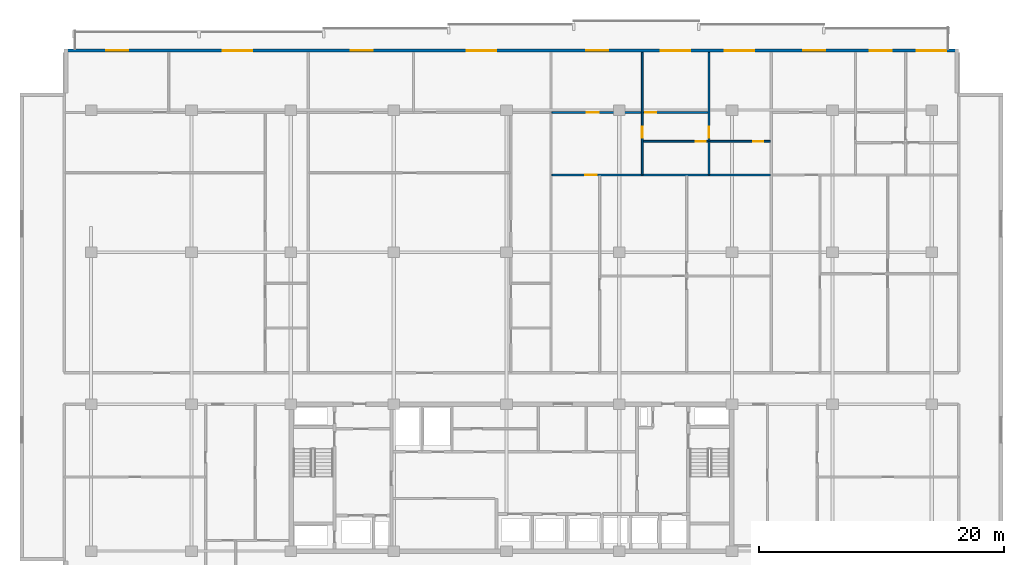
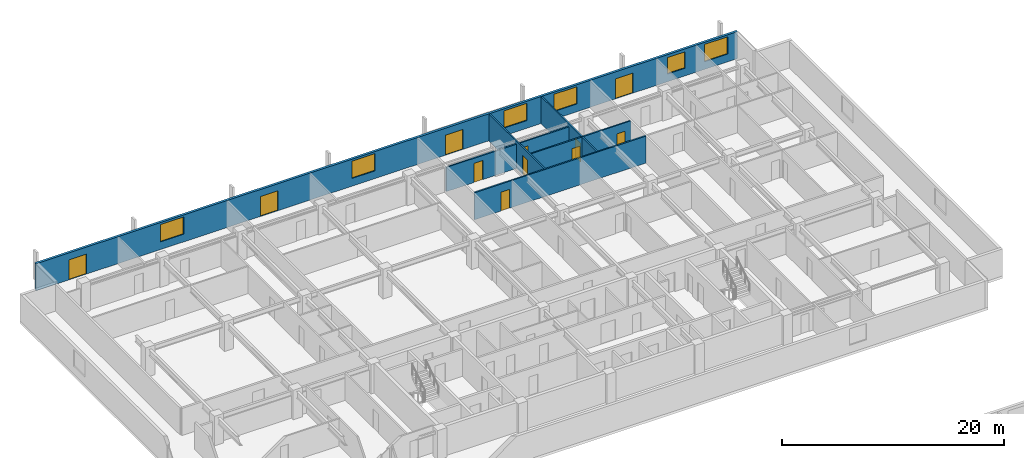
# One storey, part 14 of 21: 11 doors, 7 walls, 6 windows, 17 openings.
"""IFC4 building model written with IfcOpenShell, lengths in metres."""

import ifcopenshell
import ifcopenshell.guid

model = None  # the IFC model being written
_history = None  # IfcOwnerHistory: only IFC2X3 demands one
_inside = {}  # id of a spatial element -> (the spatial element, [elements in it])
_under = {}  # id of a project, library or spatial element -> (it, [spatial elements below it])
_declared = {}  # id of a project -> (the project, [libraries it declares])
_typed = {}  # id of a type object -> (the type object, [elements of that type])
_made_of = {}  # id of a material, layer set ... -> (it, [elements and type objects made of it])


def new_model(schema):
    """Start an empty IFC model of exactly this schema.

    Asked for "IFC4X3", IfcOpenShell would pick the latest addendum, in which some entities
    have other attributes; the version numbers below select the first issue.
    IFC2X3 requires an IfcOwnerHistory on every rooted entity: one is made here for all.
    """
    global model, _history
    if schema == "IFC4X3":
        model = ifcopenshell.file(schema_version=(4, 3, 0, 0))
    else:
        model = ifcopenshell.file(schema=schema)
    _inside.clear()
    _under.clear()
    _declared.clear()
    _typed.clear()
    _made_of.clear()
    _history = None
    if model.schema == "IFC2X3":
        org = make("IfcOrganization", Name="unknown")
        user = make(
            "IfcPersonAndOrganization",
            ThePerson=make("IfcPerson", FamilyName="unknown"),
            TheOrganization=org,
        )
        app = make(
            "IfcApplication",
            ApplicationDeveloper=org,
            Version="unknown",
            ApplicationFullName="unknown",
            ApplicationIdentifier="unknown",
        )
        _history = make(
            "IfcOwnerHistory",
            OwningUser=user,
            OwningApplication=app,
            ChangeAction="ADDED",
            CreationDate=0,
        )
    return model


def make(cls, **values):
    """One entity of the class cls with the attributes given. An attribute that is None is left unset."""
    return model.create_entity(
        cls, **{name: value for name, value in values.items() if value is not None}
    )


def rooted(cls, **values):
    """An entity with a GlobalId (a new one), such as an element, a storey or a relation."""
    return make(cls, GlobalId=ifcopenshell.guid.new(), OwnerHistory=_history, **values)


def si_unit(unit_type, name, prefix=None):
    """IfcSIUnit, for example si_unit("LENGTHUNIT", "METRE", prefix="MILLI")."""
    return make("IfcSIUnit", UnitType=unit_type, Prefix=prefix, Name=name)


def assignment(units):
    """IfcUnitAssignment: the units of a project."""
    return None if units is None else make("IfcUnitAssignment", Units=units)


def point(xyz):
    """IfcCartesianPoint."""
    return None if xyz is None else make("IfcCartesianPoint", Coordinates=xyz)


def direction(xyz):
    """IfcDirection."""
    return None if xyz is None else make("IfcDirection", DirectionRatios=xyz)


def frame(location, z_axis=None, x_axis=None):
    """IfcAxis2Placement3D, a coordinate frame: its origin and axes. An axis left out is left unset."""
    return make(
        "IfcAxis2Placement3D",
        Location=point(location),
        Axis=direction(z_axis),
        RefDirection=direction(x_axis),
    )


def frame_2d(location, x_axis=None):
    """IfcAxis2Placement2D, a coordinate frame in the plane: its origin and x axis."""
    return make(
        "IfcAxis2Placement2D", Location=point(location), RefDirection=direction(x_axis)
    )


def origin():
    """The frame at (0, 0, 0) with its axes left unset."""
    return frame((0.0, 0.0, 0.0))


def place(relative_to, where):
    """IfcLocalPlacement: puts the frame where relative to a parent placement (None: the world)."""
    return make(
        "IfcLocalPlacement", PlacementRelTo=relative_to, RelativePlacement=where
    )


def context(
    kind, dimensions, precision=None, world=None, true_north=None, identifier=None
):
    """IfcGeometricRepresentationContext, for example the 3D "Model" context."""
    return make(
        "IfcGeometricRepresentationContext",
        ContextIdentifier=identifier,
        ContextType=kind,
        CoordinateSpaceDimension=dimensions,
        Precision=precision,
        WorldCoordinateSystem=world,
        TrueNorth=true_north,
    )


def subcontext(parent, identifier, kind, view, scale=None):
    """IfcGeometricRepresentationSubContext, for example "Body" below "Model"."""
    return make(
        "IfcGeometricRepresentationSubContext",
        ContextIdentifier=identifier,
        ContextType=kind,
        ParentContext=parent,
        TargetScale=scale,
        TargetView=view,
    )


def project(units=None, contexts=None):
    """IfcProject with its units and contexts."""
    return rooted(
        "IfcProject",
        Name="project",
        RepresentationContexts=contexts,
        UnitsInContext=assignment(units),
    )


def spatial(cls, under=None, at=None, **own):
    """A site, building, storey or space (cls), placed at a placement, below another one or the project."""
    s = rooted(cls, ObjectPlacement=at, **own)
    if under is not None:
        _under.setdefault(under.id(), (under, []))[1].append(s)
    return s


def profile(cls, at=None, kind="AREA", **sizes):
    """A parametric profile (cls). Its sizes go by their IFC names, for example OverallWidth=200.0."""
    return make(cls, ProfileType=kind, Position=at, **sizes)


def rectangle(**sizes):
    """IfcRectangleProfileDef."""
    return profile("IfcRectangleProfileDef", **sizes)


def extrude(swept, where, along, depth):
    """IfcExtrudedAreaSolid: the profile swept, set in the frame where, extruded along a direction by depth."""
    return make(
        "IfcExtrudedAreaSolid",
        SweptArea=swept,
        Position=where,
        ExtrudedDirection=direction(along),
        Depth=depth,
    )


def shape(context_of_items, identifier, shape_type, items):
    """IfcShapeRepresentation: the items that make up one representation, for example the "Body"."""
    return make(
        "IfcShapeRepresentation",
        ContextOfItems=context_of_items,
        RepresentationIdentifier=identifier,
        RepresentationType=shape_type,
        Items=items,
    )


def material(Name=None, Category=None):
    """IfcMaterial."""
    return make("IfcMaterial", Name=Name, Category=Category)


def layer(
    of_material, thickness, ventilated=None, Name=None, Category=None, Priority=None
):
    """IfcMaterialLayer: one layer of a wall or slab, of a material (None: an air gap)."""
    return make(
        "IfcMaterialLayer",
        Material=of_material,
        LayerThickness=thickness,
        IsVentilated=ventilated,
        Name=Name,
        Category=Category,
        Priority=Priority,
    )


def layer_set(layers, Name=None):
    """IfcMaterialLayerSet."""
    return make("IfcMaterialLayerSet", MaterialLayers=layers, LayerSetName=Name)


def made_of(thing, what):
    """Note that an element or type object is made of a material, layer set ...; save() writes the relation."""
    if what is not None:
        _made_of.setdefault(what.id(), (what, []))[1].append(thing)
    return thing


def type_object(cls, material=None, **own):
    """A type object (cls), such as IfcWallType, which elements share."""
    return made_of(rooted(cls, **own), material)


def element(
    cls,
    number,
    at=None,
    inside=None,
    cuts=None,
    type_object=None,
    material=None,
    context=None,
    identifier="Body",
    shape_type=None,
    held_by="IfcProductDefinitionShape",
    body=None,
    shapes=None,
    **own,
):
    """One element of the class cls, such as IfcWall. Its Tag is "e" and its number.

    at: its placement. inside: the storey or other place that contains it. cuts: it is an
    opening in that element (IfcRelVoidsElement). A single representation is given by context,
    identifier, shape_type and body (its items); several are given by shapes. held_by: the class
    of the entity that holds the representations. save() writes the other relations.
    """
    e = rooted(cls, Tag="e%d" % number, ObjectPlacement=at, **own)
    if body is not None:
        shapes = [shape(context, identifier, shape_type, body)]
    if shapes is not None:
        e.Representation = make(held_by, Representations=shapes)
    if inside is not None:
        _inside.setdefault(inside.id(), (inside, []))[1].append(e)
    if cuts is not None:
        rooted(
            "IfcRelVoidsElement", RelatingBuildingElement=cuts, RelatedOpeningElement=e
        )
    if type_object is not None:
        _typed.setdefault(type_object.id(), (type_object, []))[1].append(e)
    return made_of(e, material)


def fill(opening, filler):
    """IfcRelFillsElement: the door or window that sits in an opening."""
    return rooted(
        "IfcRelFillsElement",
        RelatingOpeningElement=opening,
        RelatedBuildingElement=filler,
    )


def aggregate(whole, parts):
    """IfcRelAggregates: a whole, such as a stair, and the parts it consists of."""
    return rooted("IfcRelAggregates", RelatingObject=whole, RelatedObjects=parts)


def save(model, path):
    """Write the relations noted so far, then the file.

    IfcRelAggregates (storeys below a building ...), IfcRelContainedInSpatialStructure (elements
    in a storey), IfcRelDefinesByType, IfcRelAssociatesMaterial and IfcRelDeclares: one each for
    every whole, place, type object, material and project.
    """
    for whole, parts in _under.values():
        aggregate(whole, parts)
    for where, things in _inside.values():
        rooted(
            "IfcRelContainedInSpatialStructure",
            RelatedElements=things,
            RelatingStructure=where,
        )
    for kind, things in _typed.values():
        rooted("IfcRelDefinesByType", RelatedObjects=things, RelatingType=kind)
    for what, things in _made_of.values():
        rooted("IfcRelAssociatesMaterial", RelatedObjects=things, RelatingMaterial=what)
    for by, libraries in _declared.values():
        rooted("IfcRelDeclares", RelatingContext=by, RelatedDefinitions=libraries)
    model.write(path)


model = new_model("IFC4")

# Units and contexts
model_context = context("Model", 3, precision=1e-05, world=origin(), true_north=direction((0.0, 1.0)))
body_context = subcontext(model_context, "Body", "Model", "MODEL_VIEW")
ifc_project = project(units=[si_unit("LENGTHUNIT", "METRE"), si_unit("AREAUNIT", "SQUARE_METRE"), si_unit("VOLUMEUNIT", "CUBIC_METRE"), si_unit("PLANEANGLEUNIT", "RADIAN"), si_unit("MASSUNIT", "GRAM", prefix="KILO")], contexts=[model_context])

# Site, building, storey
site_placement = place(None, origin())
site = spatial("IfcSite", under=ifc_project, at=site_placement, CompositionType="ELEMENT")
building_placement = place(site_placement, origin())
building = spatial("IfcBuilding", under=site, at=building_placement, Name="Korimba Cascade Residences", CompositionType="ELEMENT")
storey_placement = place(building_placement, frame((0.0, 0.0, 123.050048828125)))
storey = spatial("IfcBuildingStorey", under=building, at=storey_placement, Name="L35", CompositionType="ELEMENT", Elevation=123.050048828125)

# Wall, openings, doors, windows
ifc_material_1 = material(Name="Precast concrete C40/50", Category="concrete")
ifc_layer_1 = layer(ifc_material_1, 0.25)
ifc_layer_set_1 = layer_set([ifc_layer_1], Name="Precast concrete C40/50")
wall_type_1 = type_object("IfcWallType", Name="EW-LOG-250", PredefinedType="STANDARD", material=ifc_layer_set_1)
wall_1_placement = place(storey_placement, frame((130.60009765625, 96.050048828125, 0.0), z_axis=(0.0, 0.0, 1.0), x_axis=(-1.0, 0.0, 0.0)))
wall_1 = element("IfcWall", 1, at=wall_1_placement, inside=storey, type_object=wall_type_1, Name="L35 T1 Perimeter Stone Wall E06", PredefinedType="STANDARD", context=body_context, shape_type="SweptSolid", body=[
    extrude(rectangle(XDim=73.0, YDim=0.25, at=frame_2d((36.5, 0.0))), origin(), (0.0, 0.0, 1.0), 2.969970703125),
])
opening_1_placement = place(wall_1_placement, frame((67.7724609375, 0.0, 0.0)))
opening_1 = element("IfcOpeningElement", 2, at=opening_1_placement, cuts=wall_1, Name="Opening D-LG1", PredefinedType="OPENING", context=body_context, shape_type="SweptSolid", body=[
    extrude(rectangle(XDim=1.800048828125, YDim=2.199951171875, at=frame_2d((0.89990234375, 1.10009765625))), frame((0.0, 0.135009765625, 0.0), z_axis=(0.0, -1.0, 0.0), x_axis=(1.0, 0.0, 0.0)), (0.0, 0.0, 1.0), 0.27001953125),
])
opening_2_placement = place(wall_1_placement, frame((57.63720703125, 0.0, 0.85009765625)))
opening_2 = element("IfcOpeningElement", 3, at=opening_2_placement, cuts=wall_1, Name="Opening W-01", PredefinedType="OPENING", context=body_context, shape_type="SweptSolid", body=[
    extrude(rectangle(XDim=2.39990234375, YDim=1.89990234375, at=frame_2d((1.199951171875, 0.949951171875))), frame((0.0, 0.135009765625, 0.0), z_axis=(0.0, -1.0, 0.0), x_axis=(1.0, 0.0, 0.0)), (0.0, 0.0, 1.0), 0.27001953125),
])
opening_3_placement = place(wall_1_placement, frame((47.826904296875, 0.0, 0.0)))
opening_3 = element("IfcOpeningElement", 4, at=opening_3_placement, cuts=wall_1, Name="Opening D-LG1", PredefinedType="OPENING", context=body_context, shape_type="SweptSolid", body=[
    extrude(rectangle(XDim=1.800048828125, YDim=2.199951171875, at=frame_2d((0.89990234375, 1.10009765625))), frame((0.0, 0.135009765625, 0.0), z_axis=(0.0, -1.0, 0.0), x_axis=(1.0, 0.0, 0.0)), (0.0, 0.0, 1.0), 0.27001953125),
])
opening_4_placement = place(wall_1_placement, frame((37.736083984375, 0.0, 0.85009765625)))
opening_4 = element("IfcOpeningElement", 5, at=opening_4_placement, cuts=wall_1, Name="Opening W-01", PredefinedType="OPENING", context=body_context, shape_type="SweptSolid", body=[
    extrude(rectangle(XDim=2.39990234375, YDim=1.89990234375, at=frame_2d((1.199951171875, 0.949951171875))), frame((0.0, 0.135009765625, 0.0), z_axis=(0.0, -1.0, 0.0), x_axis=(1.0, 0.0, 0.0)), (0.0, 0.0, 1.0), 0.27001953125),
])
opening_5_placement = place(wall_1_placement, frame((21.89990234375, 0.0, 0.85009765625)))
opening_5 = element("IfcOpeningElement", 6, at=opening_5_placement, cuts=wall_1, Name="Opening W-01", PredefinedType="OPENING", context=body_context, shape_type="SweptSolid", body=[
    extrude(rectangle(XDim=2.39990234375, YDim=1.89990234375, at=frame_2d((1.199951171875, 0.949951171875))), frame((0.0, 0.135009765625, 0.0), z_axis=(0.0, -1.0, 0.0), x_axis=(1.0, 0.0, 0.0)), (0.0, 0.0, 1.0), 0.27001953125),
])
opening_6_placement = place(wall_1_placement, frame((28.584228515625, 0.0, 0.0)))
opening_6 = element("IfcOpeningElement", 7, at=opening_6_placement, cuts=wall_1, Name="Opening D-LG1", PredefinedType="OPENING", context=body_context, shape_type="SweptSolid", body=[
    extrude(rectangle(XDim=1.800048828125, YDim=2.199951171875, at=frame_2d((0.89990234375, 1.10009765625))), frame((0.0, 0.135009765625, 0.0), z_axis=(0.0, -1.0, 0.0), x_axis=(1.0, 0.0, 0.0)), (0.0, 0.0, 1.0), 0.27001953125),
])
opening_7_placement = place(wall_1_placement, frame((16.689453125, 0.0, 0.85009765625)))
opening_7 = element("IfcOpeningElement", 8, at=opening_7_placement, cuts=wall_1, Name="Opening W-01", PredefinedType="OPENING", context=body_context, shape_type="SweptSolid", body=[
    extrude(rectangle(XDim=2.39990234375, YDim=1.89990234375, at=frame_2d((1.199951171875, 0.949951171875))), frame((0.0, 0.135009765625, 0.0), z_axis=(0.0, -1.0, 0.0), x_axis=(1.0, 0.0, 0.0)), (0.0, 0.0, 1.0), 0.27001953125),
])
opening_8_placement = place(wall_1_placement, frame((5.4755859375, 0.0, 0.85009765625)))
opening_8 = element("IfcOpeningElement", 9, at=opening_8_placement, cuts=wall_1, Name="Opening W-02", PredefinedType="OPENING", context=body_context, shape_type="SweptSolid", body=[
    extrude(rectangle(XDim=1.800048828125, YDim=1.800048828125, at=frame_2d((0.89990234375, 0.89990234375))), frame((0.0, 0.135009765625, 0.0), z_axis=(0.0, -1.0, 0.0), x_axis=(1.0, 0.0, 0.0)), (0.0, 0.0, 1.0), 0.27001953125),
])
opening_9_placement = place(wall_1_placement, frame((10.889404296875, 0.0, 0.0)))
opening_9 = element("IfcOpeningElement", 10, at=opening_9_placement, cuts=wall_1, Name="Opening D-LG1", PredefinedType="OPENING", context=body_context, shape_type="SweptSolid", body=[
    extrude(rectangle(XDim=1.800048828125, YDim=2.199951171875, at=frame_2d((0.89990234375, 1.10009765625))), frame((0.0, 0.135009765625, 0.0), z_axis=(0.0, -1.0, 0.0), x_axis=(1.0, 0.0, 0.0)), (0.0, 0.0, 1.0), 0.27001953125),
])
opening_10_placement = place(wall_1_placement, frame((1.025390625, 0.0, 0.85009765625)))
opening_10 = element("IfcOpeningElement", 11, at=opening_10_placement, cuts=wall_1, Name="Opening W-01", PredefinedType="OPENING", context=body_context, shape_type="SweptSolid", body=[
    extrude(rectangle(XDim=2.39990234375, YDim=1.89990234375, at=frame_2d((1.199951171875, 0.949951171875))), frame((0.0, 0.135009765625, 0.0), z_axis=(0.0, -1.0, 0.0), x_axis=(1.0, 0.0, 0.0)), (0.0, 0.0, 1.0), 0.27001953125),
])
ifc_material_2 = material(Name="Glazed Aluminium Loggia Sliding Door", Category="aluminium")
door_type_1 = type_object("IfcDoorType", Name="DR-EXT-LOG", OperationType="NOTDEFINED", PredefinedType="DOOR", material=ifc_material_2)
door_1_placement = place(opening_1_placement, origin())
door_1 = element("IfcDoor", 12, at=door_1_placement, inside=storey, type_object=door_type_1, Name="L35 T1 Loggia Sliding Door 3", OperationType="SLIDING_TO_LEFT", OverallHeight=2.199951171875, OverallWidth=1.800048828125, PredefinedType="DOOR", context=body_context, shape_type="SweptSolid", body=[
    extrude(rectangle(XDim=1.800048828125, YDim=2.199951171875, at=frame_2d((0.89990234375, 1.10009765625))), frame((0.0, 0.02490234375, 0.0), z_axis=(0.0, -1.0, 0.0), x_axis=(1.0, 0.0, 0.0)), (0.0, 0.0, 1.0), 0.050048828125),
])
fill(opening_1, door_1)
door_2_placement = place(opening_3_placement, origin())
door_2 = element("IfcDoor", 13, at=door_2_placement, inside=storey, type_object=door_type_1, Name="L35 T1 Loggia Sliding Door 5", OperationType="SLIDING_TO_LEFT", OverallHeight=2.199951171875, OverallWidth=1.800048828125, PredefinedType="DOOR", context=body_context, shape_type="SweptSolid", body=[
    extrude(rectangle(XDim=1.800048828125, YDim=2.199951171875, at=frame_2d((0.89990234375, 1.10009765625))), frame((0.0, 0.02490234375, 0.0), z_axis=(0.0, -1.0, 0.0), x_axis=(1.0, 0.0, 0.0)), (0.0, 0.0, 1.0), 0.050048828125),
])
fill(opening_3, door_2)
door_3_placement = place(opening_6_placement, origin())
door_3 = element("IfcDoor", 14, at=door_3_placement, inside=storey, type_object=door_type_1, Name="L35 T1 Loggia Sliding Door 8", OperationType="SLIDING_TO_LEFT", OverallHeight=2.199951171875, OverallWidth=1.800048828125, PredefinedType="DOOR", context=body_context, shape_type="SweptSolid", body=[
    extrude(rectangle(XDim=1.800048828125, YDim=2.199951171875, at=frame_2d((0.89990234375, 1.10009765625))), frame((0.0, 0.02490234375, 0.0), z_axis=(0.0, -1.0, 0.0), x_axis=(1.0, 0.0, 0.0)), (0.0, 0.0, 1.0), 0.050048828125),
])
fill(opening_6, door_3)
door_4_placement = place(opening_9_placement, origin())
door_4 = element("IfcDoor", 15, at=door_4_placement, inside=storey, type_object=door_type_1, Name="L35 T1 Loggia Sliding Door 11", OperationType="SLIDING_TO_LEFT", OverallHeight=2.199951171875, OverallWidth=1.800048828125, PredefinedType="DOOR", context=body_context, shape_type="SweptSolid", body=[
    extrude(rectangle(XDim=1.800048828125, YDim=2.199951171875, at=frame_2d((0.89990234375, 1.10009765625))), frame((0.0, 0.02490234375, 0.0), z_axis=(0.0, -1.0, 0.0), x_axis=(1.0, 0.0, 0.0)), (0.0, 0.0, 1.0), 0.050048828125),
])
fill(opening_9, door_4)
ifc_material_3 = material(Name="Double-Glazed Aluminium Window", Category="aluminium")
window_type_1 = type_object("IfcWindowType", Name="WIN-BED-1800", PartitioningType="SINGLE_PANEL", PredefinedType="WINDOW", material=ifc_material_3)
window_1_placement = place(opening_8_placement, origin())
window_1 = element("IfcWindow", 16, at=window_1_placement, inside=storey, type_object=window_type_1, Name="L35 T1 North Facade Window 10", OverallHeight=1.800048828125, OverallWidth=1.800048828125, PartitioningType="SINGLE_PANEL", PredefinedType="WINDOW", context=body_context, shape_type="SweptSolid", body=[
    extrude(rectangle(XDim=1.800048828125, YDim=1.800048828125, at=frame_2d((0.89990234375, 0.89990234375))), frame((0.0, 0.030029296875, 0.0), z_axis=(0.0, -1.0, 0.0), x_axis=(1.0, 0.0, 0.0)), (0.0, 0.0, 1.0), 0.06005859375),
])
fill(opening_8, window_1)
window_type_2 = type_object("IfcWindowType", Name="WIN-RES-2400", PartitioningType="DOUBLE_PANEL_VERTICAL", PredefinedType="WINDOW", material=ifc_material_3)
window_2_placement = place(opening_2_placement, origin())
window_2 = element("IfcWindow", 17, at=window_2_placement, inside=storey, type_object=window_type_2, Name="L35 T1 North Facade Window 4", OverallHeight=1.89990234375, OverallWidth=2.39990234375, PartitioningType="DOUBLE_PANEL_VERTICAL", PredefinedType="WINDOW", context=body_context, shape_type="SweptSolid", body=[
    extrude(rectangle(XDim=2.39990234375, YDim=1.89990234375, at=frame_2d((1.199951171875, 0.949951171875))), frame((0.0, 0.030029296875, 0.0), z_axis=(0.0, -1.0, 0.0), x_axis=(1.0, 0.0, 0.0)), (0.0, 0.0, 1.0), 0.06005859375),
])
fill(opening_2, window_2)
window_3_placement = place(opening_4_placement, origin())
window_3 = element("IfcWindow", 18, at=window_3_placement, inside=storey, type_object=window_type_2, Name="L35 T1 North Facade Window 6", OverallHeight=1.89990234375, OverallWidth=2.39990234375, PartitioningType="DOUBLE_PANEL_VERTICAL", PredefinedType="WINDOW", context=body_context, shape_type="SweptSolid", body=[
    extrude(rectangle(XDim=2.39990234375, YDim=1.89990234375, at=frame_2d((1.199951171875, 0.949951171875))), frame((0.0, 0.030029296875, 0.0), z_axis=(0.0, -1.0, 0.0), x_axis=(1.0, 0.0, 0.0)), (0.0, 0.0, 1.0), 0.06005859375),
])
fill(opening_4, window_3)
window_4_placement = place(opening_5_placement, origin())
window_4 = element("IfcWindow", 19, at=window_4_placement, inside=storey, type_object=window_type_2, Name="L35 T1 North Facade Window 7", OverallHeight=1.89990234375, OverallWidth=2.39990234375, PartitioningType="DOUBLE_PANEL_VERTICAL", PredefinedType="WINDOW", context=body_context, shape_type="SweptSolid", body=[
    extrude(rectangle(XDim=2.39990234375, YDim=1.89990234375, at=frame_2d((1.199951171875, 0.949951171875))), frame((0.0, 0.030029296875, 0.0), z_axis=(0.0, -1.0, 0.0), x_axis=(1.0, 0.0, 0.0)), (0.0, 0.0, 1.0), 0.06005859375),
])
fill(opening_5, window_4)
window_5_placement = place(opening_7_placement, origin())
window_5 = element("IfcWindow", 20, at=window_5_placement, inside=storey, type_object=window_type_2, Name="L35 T1 North Facade Window 9", OverallHeight=1.89990234375, OverallWidth=2.39990234375, PartitioningType="DOUBLE_PANEL_VERTICAL", PredefinedType="WINDOW", context=body_context, shape_type="SweptSolid", body=[
    extrude(rectangle(XDim=2.39990234375, YDim=1.89990234375, at=frame_2d((1.199951171875, 0.949951171875))), frame((0.0, 0.030029296875, 0.0), z_axis=(0.0, -1.0, 0.0), x_axis=(1.0, 0.0, 0.0)), (0.0, 0.0, 1.0), 0.06005859375),
])
fill(opening_7, window_5)
window_6_placement = place(opening_10_placement, origin())
window_6 = element("IfcWindow", 21, at=window_6_placement, inside=storey, type_object=window_type_2, Name="L35 T1 North Facade Window 12", OverallHeight=1.89990234375, OverallWidth=2.39990234375, PartitioningType="DOUBLE_PANEL_VERTICAL", PredefinedType="WINDOW", context=body_context, shape_type="SweptSolid", body=[
    extrude(rectangle(XDim=2.39990234375, YDim=1.89990234375, at=frame_2d((1.199951171875, 0.949951171875))), frame((0.0, 0.030029296875, 0.0), z_axis=(0.0, -1.0, 0.0), x_axis=(1.0, 0.0, 0.0)), (0.0, 0.0, 1.0), 0.06005859375),
])
fill(opening_10, window_6)

# Wall, opening, door
ifc_material_4 = material(Name="Insulated Acoustic Stud Partition", Category="gypsum")
ifc_layer_2 = layer(ifc_material_4, 0.14990234375)
ifc_layer_set_2 = layer_set([ifc_layer_2], Name="Insulated Acoustic Stud Partition")
wall_type_2 = type_object("IfcWallType", Name="WAL-PART-150", PredefinedType="PARTITIONING", material=ifc_layer_set_2)
wall_2_placement = place(storey_placement, frame((104.780029296875, 85.93994140625, 0.0), z_axis=(0.0, 0.0, 1.0), x_axis=(0.0, 1.0, 0.0)))
wall_2 = element("IfcWall", 22, at=wall_2_placement, inside=storey, type_object=wall_type_2, Name="L35 Partition Wall WAL-L35-T1-U03-V1", PredefinedType="PARTITIONING", context=body_context, shape_type="SweptSolid", body=[
    extrude(rectangle(XDim=9.9599609375, YDim=0.14990234375, at=frame_2d((4.97998046875, 0.0))), origin(), (0.0, 0.0, 1.0), 2.969970703125),
])
opening_11_placement = place(wall_2_placement, frame((2.989990234375, 0.0, 0.0)))
opening_11 = element("IfcOpeningElement", 23, at=opening_11_placement, cuts=wall_2, Name="Opening D-IN1", PredefinedType="OPENING", context=body_context, shape_type="SweptSolid", body=[
    extrude(rectangle(XDim=0.919921875, YDim=2.080078125, at=frame_2d((0.4599609375, 1.0400390625))), frame((0.0, 0.0849609375, 0.0), z_axis=(0.0, -1.0, 0.0), x_axis=(1.0, 0.0, 0.0)), (0.0, 0.0, 1.0), 0.169921875),
])
ifc_material_5 = material(Name="Acoustic Timber Living Door", Category="wood")
door_type_2 = type_object("IfcDoorType", Name="DR-INT-920", OperationType="NOTDEFINED", PredefinedType="DOOR", material=ifc_material_5)
door_5_placement = place(opening_11_placement, origin())
door_5 = element("IfcDoor", 24, at=door_5_placement, inside=storey, type_object=door_type_2, Name="L35-T1-U03 Hallway Door", OperationType="SINGLE_SWING_LEFT", OverallHeight=2.080078125, OverallWidth=0.919921875, PredefinedType="DOOR", context=body_context, shape_type="SweptSolid", body=[
    extrude(rectangle(XDim=0.919921875, YDim=2.080078125, at=frame_2d((0.4599609375, 1.0400390625))), frame((0.0, 0.02490234375, 0.0), z_axis=(0.0, -1.0, 0.0), x_axis=(1.0, 0.0, 0.0)), (0.0, 0.0, 1.0), 0.050048828125),
])
fill(opening_11, door_5)

# Wall
wall_3_placement = place(storey_placement, frame((110.219970703125, 85.93994140625, 0.0), z_axis=(0.0, 0.0, 1.0), x_axis=(0.0, 1.0, 0.0)))
element("IfcWall", 25, at=wall_3_placement, inside=storey, type_object=wall_type_2, Name="L35 Partition Wall WAL-L35-T1-U03-VBATH", PredefinedType="PARTITIONING", context=body_context, shape_type="SweptSolid", body=[
    extrude(rectangle(XDim=2.68994140625, YDim=0.14990234375, at=frame_2d((1.344970703125, 0.0))), origin(), (0.0, 0.0, 1.0), 2.969970703125),
])

# Wall, opening, door
wall_4_placement = place(storey_placement, frame((110.219970703125, 88.669921875, 0.0), z_axis=(0.0, 0.0, 1.0), x_axis=(0.0, 1.0, 0.0)))
wall_4 = element("IfcWall", 26, at=wall_4_placement, inside=storey, type_object=wall_type_2, Name="L35 Partition Wall WAL-L35-T1-U03-V2FULL", PredefinedType="PARTITIONING", context=body_context, shape_type="SweptSolid", body=[
    extrude(rectangle(XDim=7.22998046875, YDim=0.14990234375, at=frame_2d((3.614990234375, 0.0))), origin(), (0.0, 0.0, 1.0), 2.969970703125),
])
opening_12_placement = place(wall_4_placement, frame((0.260009765625, 0.0, 0.0)))
opening_12 = element("IfcOpeningElement", 27, at=opening_12_placement, cuts=wall_4, Name="Opening D-IN1", PredefinedType="OPENING", context=body_context, shape_type="SweptSolid", body=[
    extrude(rectangle(XDim=0.919921875, YDim=2.080078125, at=frame_2d((0.4599609375, 1.0400390625))), frame((0.0, 0.0849609375, 0.0), z_axis=(0.0, -1.0, 0.0), x_axis=(1.0, 0.0, 0.0)), (0.0, 0.0, 1.0), 0.169921875),
])
door_6_placement = place(opening_12_placement, origin())
door_6 = element("IfcDoor", 28, at=door_6_placement, inside=storey, type_object=door_type_2, Name="L35-T1-U03 Master Bedroom Door", OperationType="SINGLE_SWING_RIGHT", OverallHeight=2.080078125, OverallWidth=0.919921875, PredefinedType="DOOR", context=body_context, shape_type="SweptSolid", body=[
    extrude(rectangle(XDim=0.919921875, YDim=2.080078125, at=frame_2d((0.4599609375, 1.0400390625))), frame((0.0, 0.02490234375, 0.0), z_axis=(0.0, -1.0, 0.0), x_axis=(1.0, 0.0, 0.0)), (0.0, 0.0, 1.0), 0.050048828125),
])
fill(opening_12, door_6)

# Wall, openings, doors
wall_5_placement = place(storey_placement, frame((104.820068359375, 88.64990234375, 0.0), z_axis=(0.0, 0.0, 1.0), x_axis=(1.0, 0.0, 0.0)))
wall_5 = element("IfcWall", 29, at=wall_5_placement, inside=storey, type_object=wall_type_2, Name="L35 Partition Wall WAL-L35-T1-U03-HWALL", PredefinedType="PARTITIONING", context=body_context, shape_type="SweptSolid", body=[
    extrude(rectangle(XDim=10.421142578125, YDim=0.14990234375, at=frame_2d((5.21044921875, 0.0))), origin(), (0.0, 0.0, 1.0), 2.969970703125),
])
opening_13_placement = place(wall_5_placement, frame((4.31005859375, 0.0, 0.0)))
opening_13 = element("IfcOpeningElement", 30, at=opening_13_placement, cuts=wall_5, Name="Opening D-BT1", PredefinedType="OPENING", context=body_context, shape_type="SweptSolid", body=[
    extrude(rectangle(XDim=0.840087890625, YDim=2.0400390625, at=frame_2d((0.419921875, 1.02001953125))), frame((0.0, 0.0849609375, 0.0), z_axis=(0.0, -1.0, 0.0), x_axis=(1.0, 0.0, 0.0)), (0.0, 0.0, 1.0), 0.169921875),
])
opening_14_placement = place(wall_5_placement, frame((8.999755859375, 0.0, 0.0)))
opening_14 = element("IfcOpeningElement", 31, at=opening_14_placement, cuts=wall_5, Name="Opening D-BT1", PredefinedType="OPENING", context=body_context, shape_type="SweptSolid", body=[
    extrude(rectangle(XDim=0.840087890625, YDim=2.0400390625, at=frame_2d((0.419921875, 1.02001953125))), frame((0.0, 0.0849609375, 0.0), z_axis=(0.0, -1.0, 0.0), x_axis=(1.0, 0.0, 0.0)), (0.0, 0.0, 1.0), 0.169921875),
])
ifc_material_6 = material(Name="Moisture-Resistant Bathroom Timber Door", Category="wood")
door_type_3 = type_object("IfcDoorType", Name="DR-INT-850", OperationType="NOTDEFINED", PredefinedType="DOOR", material=ifc_material_6)
door_7_placement = place(opening_13_placement, origin())
door_7 = element("IfcDoor", 32, at=door_7_placement, inside=storey, type_object=door_type_3, Name="L35-T1-U03 Family Bathroom Door", OperationType="SINGLE_SWING_LEFT", OverallHeight=2.0400390625, OverallWidth=0.840087890625, PredefinedType="DOOR", context=body_context, shape_type="SweptSolid", body=[
    extrude(rectangle(XDim=0.840087890625, YDim=2.0400390625, at=frame_2d((0.419921875, 1.02001953125))), frame((0.0, 0.02490234375, 0.0), z_axis=(0.0, -1.0, 0.0), x_axis=(1.0, 0.0, 0.0)), (0.0, 0.0, 1.0), 0.050048828125),
])
fill(opening_13, door_7)
door_8_placement = place(opening_14_placement, origin())
door_8 = element("IfcDoor", 33, at=door_8_placement, inside=storey, type_object=door_type_3, Name="L35-T1-U03 En-Suite Door", OperationType="SINGLE_SWING_RIGHT", OverallHeight=2.0400390625, OverallWidth=0.840087890625, PredefinedType="DOOR", context=body_context, shape_type="SweptSolid", body=[
    extrude(rectangle(XDim=0.840087890625, YDim=2.0400390625, at=frame_2d((0.419921875, 1.02001953125))), frame((0.0, 0.02490234375, 0.0), z_axis=(0.0, -1.0, 0.0), x_axis=(1.0, 0.0, 0.0)), (0.0, 0.0, 1.0), 0.050048828125),
])
fill(opening_14, door_8)

# Wall, opening, door
wall_6_placement = place(storey_placement, frame((97.41162109375, 85.89990234375, 0.0), z_axis=(0.0, 0.0, 1.0), x_axis=(1.0, 0.0, 0.0)))
wall_6 = element("IfcWall", 34, at=wall_6_placement, inside=storey, type_object=wall_type_2, Name="L35 Partition Wall WAL-L35-T1-U03-MW", PredefinedType="PARTITIONING", context=body_context, shape_type="SweptSolid", body=[
    extrude(rectangle(XDim=17.82958984375, YDim=0.14990234375, at=frame_2d((8.914794921875, 0.0))), origin(), (0.0, 0.0, 1.0), 2.969970703125),
])
opening_15_placement = place(wall_6_placement, frame((2.719970703125, 0.0, 0.0)))
opening_15 = element("IfcOpeningElement", 35, at=opening_15_placement, cuts=wall_6, Name="Opening D-IN1", PredefinedType="OPENING", context=body_context, shape_type="SweptSolid", body=[
    extrude(rectangle(XDim=0.919921875, YDim=2.080078125, at=frame_2d((0.4599609375, 1.0400390625))), frame((0.0, 0.0849609375, 0.0), z_axis=(0.0, -1.0, 0.0), x_axis=(1.0, 0.0, 0.0)), (0.0, 0.0, 1.0), 0.169921875),
])
door_9_placement = place(opening_15_placement, origin())
door_9 = element("IfcDoor", 36, at=door_9_placement, inside=storey, type_object=door_type_2, Name="L35-T1-U03 Kitchen Door", OperationType="SINGLE_SWING_LEFT", OverallHeight=2.080078125, OverallWidth=0.919921875, PredefinedType="DOOR", context=body_context, shape_type="SweptSolid", body=[
    extrude(rectangle(XDim=0.919921875, YDim=2.080078125, at=frame_2d((0.4599609375, 1.0400390625))), frame((0.0, 0.02490234375, 0.0), z_axis=(0.0, -1.0, 0.0), x_axis=(1.0, 0.0, 0.0)), (0.0, 0.0, 1.0), 0.050048828125),
])
fill(opening_15, door_9)

# Wall, openings, doors
wall_7_placement = place(storey_placement, frame((97.41162109375, 91.0, 0.0), z_axis=(0.0, 0.0, 1.0), x_axis=(1.0, 0.0, 0.0)))
wall_7 = element("IfcWall", 37, at=wall_7_placement, inside=storey, type_object=wall_type_2, Name="L35 Partition Wall WAL-L35-T1-U03-HZ", PredefinedType="PARTITIONING", context=body_context, shape_type="SweptSolid", body=[
    extrude(rectangle(XDim=12.808349609375, YDim=0.14990234375, at=frame_2d((6.404296875, 0.0))), origin(), (0.0, 0.0, 1.0), 2.663330078125),
])
opening_16_placement = place(wall_7_placement, frame((2.8583984375, 0.0, 0.0)))
opening_16 = element("IfcOpeningElement", 38, at=opening_16_placement, cuts=wall_7, Name="Opening D-IN0", PredefinedType="OPENING", context=body_context, shape_type="SweptSolid", body=[
    extrude(rectangle(XDim=0.93994140625, YDim=2.10009765625, at=frame_2d((0.469970703125, 1.050048828125))), frame((0.0, 0.0849609375, 0.0), z_axis=(0.0, -1.0, 0.0), x_axis=(1.0, 0.0, 0.0)), (0.0, 0.0, 1.0), 0.169921875),
])
opening_17_placement = place(wall_7_placement, frame((7.618408203125, 0.0, 0.0)))
opening_17 = element("IfcOpeningElement", 39, at=opening_17_placement, cuts=wall_7, Name="Opening D-IN2", PredefinedType="OPENING", context=body_context, shape_type="SweptSolid", body=[
    extrude(rectangle(XDim=0.8798828125, YDim=2.06005859375, at=frame_2d((0.43994140625, 1.030029296875))), frame((0.0, 0.0849609375, 0.0), z_axis=(0.0, -1.0, 0.0), x_axis=(1.0, 0.0, 0.0)), (0.0, 0.0, 1.0), 0.169921875),
])
ifc_material_7 = material(Name="Acoustic Timber Bedroom Door", Category="wood")
door_type_4 = type_object("IfcDoorType", Name="DR-INT-880", OperationType="NOTDEFINED", PredefinedType="DOOR", material=ifc_material_7)
door_10_placement = place(opening_17_placement, origin())
door_10 = element("IfcDoor", 40, at=door_10_placement, inside=storey, type_object=door_type_4, Name="L35-T1-U03 Bedroom 2 Door", OperationType="SINGLE_SWING_LEFT", OverallHeight=2.06005859375, OverallWidth=0.8798828125, PredefinedType="DOOR", context=body_context, shape_type="SweptSolid", body=[
    extrude(rectangle(XDim=0.8798828125, YDim=2.06005859375, at=frame_2d((0.43994140625, 1.030029296875))), frame((0.0, 0.02490234375, 0.0), z_axis=(0.0, -1.0, 0.0), x_axis=(1.0, 0.0, 0.0)), (0.0, 0.0, 1.0), 0.050048828125),
])
fill(opening_17, door_10)
ifc_material_8 = material(Name="Acoustic Timber Living Archway Door", Category="wood")
door_type_5 = type_object("IfcDoorType", Name="DR-INT-950", OperationType="NOTDEFINED", PredefinedType="DOOR", material=ifc_material_8)
door_11_placement = place(opening_16_placement, origin())
door_11 = element("IfcDoor", 41, at=door_11_placement, inside=storey, type_object=door_type_5, Name="L35-T1-U03 Living Room Door", OperationType="SINGLE_SWING_RIGHT", OverallHeight=2.10009765625, OverallWidth=0.93994140625, PredefinedType="DOOR", context=body_context, shape_type="SweptSolid", body=[
    extrude(rectangle(XDim=0.93994140625, YDim=2.10009765625, at=frame_2d((0.469970703125, 1.050048828125))), frame((0.0, 0.02490234375, 0.0), z_axis=(0.0, -1.0, 0.0), x_axis=(1.0, 0.0, 0.0)), (0.0, 0.0, 1.0), 0.050048828125),
])
fill(opening_16, door_11)

save(model, "model.ifc")
